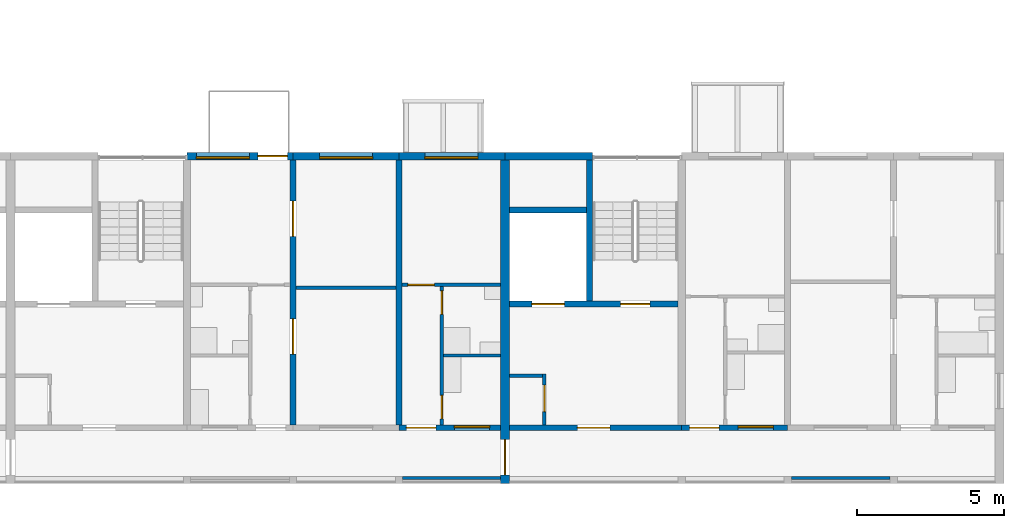
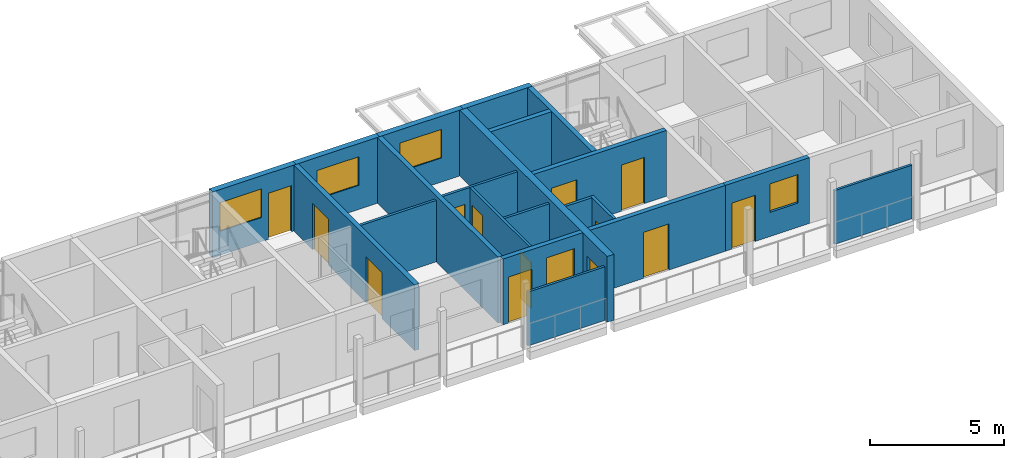
# One storey, part 54 of 94: 21 walls, 13 doors, 5 windows, 18 openings.
"""IFC4 building model written with IfcOpenShell, lengths in metres."""

from ifc_helpers import new_model, si_unit, direction, frame, frame_2d, origin, place, context, subcontext, project, spatial, rectangle, extrude, material, layer, layer_set, type_object, element, fill, save


model = new_model("IFC4")

# Units and contexts
model_context = context("Model", 3, precision=1e-05, world=origin(), true_north=direction((0.0, 1.0)))
body_context = subcontext(model_context, "Body", "Model", "MODEL_VIEW")
ifc_project = project(units=[si_unit("LENGTHUNIT", "METRE"), si_unit("AREAUNIT", "SQUARE_METRE"), si_unit("VOLUMEUNIT", "CUBIC_METRE"), si_unit("PLANEANGLEUNIT", "RADIAN"), si_unit("MASSUNIT", "GRAM", prefix="KILO")], contexts=[model_context])

# Site, building, storey
site_placement = place(None, origin())
site = spatial("IfcSite", under=ifc_project, at=site_placement, CompositionType="ELEMENT")
building_placement = place(site_placement, origin())
building = spatial("IfcBuilding", under=site, at=building_placement, Name="Ridgestep Commons", CompositionType="ELEMENT")
storey_placement = place(building_placement, frame((0.0, 0.0, 24.0)))
storey = spatial("IfcBuildingStorey", under=building, at=storey_placement, Name="L08", CompositionType="ELEMENT", Elevation=24.0)

# Wall, opening, door
ifc_material_1 = material(Name="Concrete C30/37", Category="concrete")
ifc_layer_1 = layer(ifc_material_1, 0.199951171875)
ifc_layer_set_1 = layer_set([ifc_layer_1], Name="Core south wall 200")
wall_type_1 = type_object("IfcWallType", Name="Core south wall 200", PredefinedType="SHEAR", material=ifc_layer_set_1)
wall_1_placement = place(storey_placement, frame((230.949951171875, 13.64990234375, 0.0), z_axis=(0.0, 0.0, 1.0), x_axis=(1.0, 0.0, 0.0)))
wall_1 = element("IfcWall", 1, at=wall_1_placement, inside=storey, type_object=wall_type_1, Name="Core south wall D6C L08", PredefinedType="SHEAR", context=body_context, shape_type="SweptSolid", body=[
    extrude(rectangle(XDim=5.85009765625, YDim=0.199951171875, at=frame_2d((2.925048828125, 0.0))), origin(), (0.0, 0.0, 1.0), 3.0),
])
opening_1_placement = place(wall_1_placement, frame((2.3125, 0.0, 0.0)))
opening_1 = element("IfcOpeningElement", 2, at=opening_1_placement, cuts=wall_1, Name="Opening D6C/08/1", PredefinedType="OPENING", context=body_context, shape_type="SweptSolid", body=[
    extrude(rectangle(XDim=1.10009765625, YDim=2.10009765625, at=frame_2d((0.550048828125, 1.050048828125))), frame((0.0, 0.10986328125, 0.0), z_axis=(0.0, -1.0, 0.0), x_axis=(1.0, 0.0, 0.0)), (0.0, 0.0, 1.0), 0.219970703125),
])
ifc_material_2 = material(Name="Steel fire door", Category="steel")
door_type_1 = type_object("IfcDoorType", Name="Lobby door 1100 x 2100 FD60", OperationType="NOTDEFINED", PredefinedType="DOOR", material=ifc_material_2)
door_1_placement = place(opening_1_placement, origin())
door_1 = element("IfcDoor", 3, at=door_1_placement, inside=storey, type_object=door_type_1, Name="Lobby door D6C/08/1", OperationType="SINGLE_SWING_LEFT", OverallHeight=2.10009765625, OverallWidth=1.10009765625, PredefinedType="DOOR", context=body_context, shape_type="SweptSolid", body=[
    extrude(rectangle(XDim=1.10009765625, YDim=2.10009765625, at=frame_2d((0.550048828125, 1.050048828125))), frame((0.0, 0.02490234375, 0.0), z_axis=(0.0, -1.0, 0.0), x_axis=(1.0, 0.0, 0.0)), (0.0, 0.0, 1.0), 0.050048828125),
])
fill(opening_1, door_1)

ifc_material_3 = material(Name="Concrete C30/37", Category="concrete")
ifc_layer_2 = layer(ifc_material_3, 0.1201171875)
ifc_layer_set_2 = layer_set([ifc_layer_2], Name="Core wall 120")
wall_type_2 = type_object("IfcWallType", Name="Core wall 120", PredefinedType="SHEAR", material=ifc_layer_set_2)
wall_2_placement = place(storey_placement, frame((232.139892578125, 13.75, 0.0), z_axis=(0.0, 0.0, 1.0), x_axis=(0.0, 1.0, 0.0)))
wall_2 = element("IfcWall", 4, at=wall_2_placement, inside=storey, type_object=wall_type_2, Name="Core riser w wall D6C L08", PredefinedType="SHEAR", context=body_context, shape_type="SweptSolid", body=[
    extrude(rectangle(XDim=1.719970703125, YDim=0.1201171875, at=frame_2d((0.85986328125, 0.0))), origin(), (0.0, 0.0, 1.0), 3.0),
])
opening_2_placement = place(wall_2_placement, frame((0.449951171875, 0.0, 0.0)))
opening_2 = element("IfcOpeningElement", 5, at=opening_2_placement, cuts=wall_2, Name="Opening D6C/08/4", PredefinedType="OPENING", context=body_context, shape_type="SweptSolid", body=[
    extrude(rectangle(XDim=0.89990234375, YDim=2.10009765625, at=frame_2d((0.449951171875, 1.050048828125))), frame((0.0, 0.070068359375, 0.0), z_axis=(0.0, -1.0, 0.0), x_axis=(1.0, 0.0, 0.0)), (0.0, 0.0, 1.0), 0.14013671875),
])
ifc_material_4 = material(Name="Steel fire door", Category="steel")
door_type_2 = type_object("IfcDoorType", Name="Riser door 900 x 2100 FD60", OperationType="NOTDEFINED", PredefinedType="DOOR", material=ifc_material_4)
door_2_placement = place(opening_2_placement, origin())
door_2 = element("IfcDoor", 6, at=door_2_placement, inside=storey, type_object=door_type_2, Name="Riser door D6C/08/4", OperationType="SINGLE_SWING_RIGHT", OverallHeight=2.10009765625, OverallWidth=0.89990234375, PredefinedType="DOOR", context=body_context, shape_type="SweptSolid", body=[
    extrude(rectangle(XDim=0.89990234375, YDim=2.10009765625, at=frame_2d((0.449951171875, 1.050048828125))), frame((0.0, 0.02490234375, 0.0), z_axis=(0.0, -1.0, 0.0), x_axis=(1.0, 0.0, 0.0)), (0.0, 0.0, 1.0), 0.050048828125),
])
fill(opening_2, door_2)

# Wall
wall_3_placement = place(storey_placement, frame((230.949951171875, 15.409912109375, 0.0), z_axis=(0.0, 0.0, 1.0), x_axis=(1.0, 0.0, 0.0)))
element("IfcWall", 7, at=wall_3_placement, inside=storey, type_object=wall_type_2, Name="Core riser n wall D6C L08", PredefinedType="SHEAR", context=body_context, shape_type="SweptSolid", body=[
    extrude(rectangle(XDim=1.130126953125, YDim=0.1201171875, at=frame_2d((0.56494140625, 0.0))), origin(), (0.0, 0.0, 1.0), 3.0),
])

# Wall, openings, doors
ifc_material_5 = material(Name="Concrete C30/37", Category="concrete")
ifc_layer_3 = layer(ifc_material_5, 0.199951171875)
ifc_layer_set_3 = layer_set([ifc_layer_3], Name="Core wall 200")
wall_type_3 = type_object("IfcWallType", Name="Core wall 200", PredefinedType="SHEAR", material=ifc_layer_set_3)
wall_4_placement = place(storey_placement, frame((230.949951171875, 17.85009765625, 0.0), z_axis=(0.0, 0.0, 1.0), x_axis=(1.0, 0.0, 0.0)))
wall_4 = element("IfcWall", 8, at=wall_4_placement, inside=storey, type_object=wall_type_3, Name="Core lobby wall D6C L08", PredefinedType="SHEAR", context=body_context, shape_type="SweptSolid", body=[
    extrude(rectangle(XDim=5.72509765625, YDim=0.199951171875, at=frame_2d((2.862548828125, 0.0))), origin(), (0.0, 0.0, 1.0), 3.0),
])
opening_3_placement = place(wall_4_placement, frame((3.77490234375, 0.0, 0.0)))
opening_3 = element("IfcOpeningElement", 9, at=opening_3_placement, cuts=wall_4, Name="Opening D6C/08/2", PredefinedType="OPENING", context=body_context, shape_type="SweptSolid", body=[
    extrude(rectangle(XDim=1.0, YDim=2.10009765625, at=frame_2d((0.5, 1.050048828125))), frame((0.0, 0.10986328125, 0.0), z_axis=(0.0, -1.0, 0.0), x_axis=(1.0, 0.0, 0.0)), (0.0, 0.0, 1.0), 0.219970703125),
])
opening_4_placement = place(wall_4_placement, frame((0.762451171875, 0.0, 0.0)))
opening_4 = element("IfcOpeningElement", 10, at=opening_4_placement, cuts=wall_4, Name="Opening D6C/08/3", PredefinedType="OPENING", context=body_context, shape_type="SweptSolid", body=[
    extrude(rectangle(XDim=1.10009765625, YDim=2.10009765625, at=frame_2d((0.550048828125, 1.050048828125))), frame((0.0, 0.10986328125, 0.0), z_axis=(0.0, -1.0, 0.0), x_axis=(1.0, 0.0, 0.0)), (0.0, 0.0, 1.0), 0.219970703125),
])
ifc_material_6 = material(Name="Stainless steel", Category="steel")
door_type_3 = type_object("IfcDoorType", Name="Lift landing door 1100 x 2100 FD60", OperationType="DOUBLE_DOOR_SLIDING", PredefinedType="DOOR", material=ifc_material_6)
door_3_placement = place(opening_4_placement, origin())
door_3 = element("IfcDoor", 11, at=door_3_placement, inside=storey, type_object=door_type_3, Name="Landing door LD D6C L08", OperationType="DOUBLE_DOOR_SLIDING", OverallHeight=2.10009765625, OverallWidth=1.10009765625, PredefinedType="DOOR", context=body_context, shape_type="SweptSolid", body=[
    extrude(rectangle(XDim=1.10009765625, YDim=2.10009765625, at=frame_2d((0.550048828125, 1.050048828125))), frame((0.0, 0.02490234375, 0.0), z_axis=(0.0, -1.0, 0.0), x_axis=(1.0, 0.0, 0.0)), (0.0, 0.0, 1.0), 0.050048828125),
])
fill(opening_4, door_3)
ifc_material_7 = material(Name="Steel fire door", Category="steel")
door_type_4 = type_object("IfcDoorType", Name="Stair door 1000 x 2100 FD60", OperationType="NOTDEFINED", PredefinedType="DOOR", material=ifc_material_7)
door_4_placement = place(opening_3_placement, origin())
door_4 = element("IfcDoor", 12, at=door_4_placement, inside=storey, type_object=door_type_4, Name="Stair door D6C/08/2", OperationType="SINGLE_SWING_RIGHT", OverallHeight=2.10009765625, OverallWidth=1.0, PredefinedType="DOOR", context=body_context, shape_type="SweptSolid", body=[
    extrude(rectangle(XDim=1.0, YDim=2.10009765625, at=frame_2d((0.5, 1.050048828125))), frame((0.0, 0.02490234375, 0.0), z_axis=(0.0, -1.0, 0.0), x_axis=(1.0, 0.0, 0.0)), (0.0, 0.0, 1.0), 0.050048828125),
])
fill(opening_3, door_4)

# Walls
wall_5_placement = place(storey_placement, frame((233.675048828125, 17.949951171875, 0.0), z_axis=(0.0, 0.0, 1.0), x_axis=(0.0, 1.0, 0.0)))
element("IfcWall", 13, at=wall_5_placement, inside=storey, type_object=wall_type_3, Name="Core stair wall D6C L08", PredefinedType="SHEAR", context=body_context, shape_type="SweptSolid", body=[
    extrude(rectangle(XDim=4.800048828125, YDim=0.199951171875, at=frame_2d((2.39990234375, 0.0))), origin(), (0.0, 0.0, 1.0), 3.0),
])
wall_6_placement = place(storey_placement, frame((230.949951171875, 21.050048828125, 0.0), z_axis=(0.0, 0.0, 1.0), x_axis=(1.0, 0.0, 0.0)))
element("IfcWall", 14, at=wall_6_placement, inside=storey, type_object=wall_type_3, Name="Core duct wall D6C L08", PredefinedType="SHEAR", context=body_context, shape_type="SweptSolid", body=[
    extrude(rectangle(XDim=2.625, YDim=0.199951171875, at=frame_2d((1.3125, 0.0))), origin(), (0.0, 0.0, 1.0), 3.0),
])

# Wall, openings, doors
ifc_material_8 = material(Name="Precast concrete C40/50", Category="concrete")
ifc_layer_4 = layer(ifc_material_8, 0.199951171875)
ifc_layer_set_4 = layer_set([ifc_layer_4], Name="Cross wall 200")
wall_type_4 = type_object("IfcWallType", Name="Cross wall 200", PredefinedType="SHEAR", material=ifc_layer_set_4)
wall_7_placement = place(storey_placement, frame((223.60009765625, 13.75, 0.0), z_axis=(0.0, 0.0, 1.0), x_axis=(0.0, 1.0, 0.0)))
wall_7 = element("IfcWall", 15, at=wall_7_placement, inside=storey, type_object=wall_type_4, Name="Cross wall D-08-2236", PredefinedType="SHEAR", context=body_context, shape_type="SweptSolid", body=[
    extrude(rectangle(XDim=9.0, YDim=0.199951171875, at=frame_2d((4.5, 0.0))), origin(), (0.0, 0.0, 1.0), 3.0),
])
opening_5_placement = place(wall_7_placement, frame((2.39990234375, 0.0, 0.0)))
opening_5 = element("IfcOpeningElement", 16, at=opening_5_placement, cuts=wall_7, Name="Opening D5-08b/5", PredefinedType="OPENING", context=body_context, shape_type="SweptSolid", body=[
    extrude(rectangle(XDim=1.199951171875, YDim=2.10009765625, at=frame_2d((0.60009765625, 1.050048828125))), frame((0.0, 0.10986328125, 0.0), z_axis=(0.0, -1.0, 0.0), x_axis=(1.0, 0.0, 0.0)), (0.0, 0.0, 1.0), 0.219970703125),
])
opening_6_placement = place(wall_7_placement, frame((6.39990234375, 0.0, 0.0)))
opening_6 = element("IfcOpeningElement", 17, at=opening_6_placement, cuts=wall_7, Name="Opening D5-08b/6", PredefinedType="OPENING", context=body_context, shape_type="SweptSolid", body=[
    extrude(rectangle(XDim=1.199951171875, YDim=2.10009765625, at=frame_2d((0.60009765625, 1.050048828125))), frame((0.0, 0.10986328125, 0.0), z_axis=(0.0, -1.0, 0.0), x_axis=(1.0, 0.0, 0.0)), (0.0, 0.0, 1.0), 0.219970703125),
])
ifc_material_9 = material(Name="Timber door leaf", Category="wood")
door_type_5 = type_object("IfcDoorType", Name="Double door 1200 x 2100", OperationType="DOUBLE_DOOR_SINGLE_SWING", PredefinedType="DOOR", material=ifc_material_9)
door_5_placement = place(opening_5_placement, origin())
door_5 = element("IfcDoor", 18, at=door_5_placement, inside=storey, type_object=door_type_5, Name="Double door D5-08b/5", OperationType="DOUBLE_DOOR_SINGLE_SWING", OverallHeight=2.10009765625, OverallWidth=1.199951171875, PredefinedType="DOOR", context=body_context, shape_type="SweptSolid", body=[
    extrude(rectangle(XDim=1.199951171875, YDim=2.10009765625, at=frame_2d((0.60009765625, 1.050048828125))), frame((0.0, 0.02490234375, 0.0), z_axis=(0.0, -1.0, 0.0), x_axis=(1.0, 0.0, 0.0)), (0.0, 0.0, 1.0), 0.050048828125),
])
fill(opening_5, door_5)
door_6_placement = place(opening_6_placement, origin())
door_6 = element("IfcDoor", 19, at=door_6_placement, inside=storey, type_object=door_type_5, Name="Double door D5-08b/6", OperationType="DOUBLE_DOOR_SINGLE_SWING", OverallHeight=2.10009765625, OverallWidth=1.199951171875, PredefinedType="DOOR", context=body_context, shape_type="SweptSolid", body=[
    extrude(rectangle(XDim=1.199951171875, YDim=2.10009765625, at=frame_2d((0.60009765625, 1.050048828125))), frame((0.0, 0.02490234375, 0.0), z_axis=(0.0, -1.0, 0.0), x_axis=(1.0, 0.0, 0.0)), (0.0, 0.0, 1.0), 0.050048828125),
])
fill(opening_6, door_6)

# Wall
wall_8_placement = place(storey_placement, frame((227.199951171875, 13.75, 0.0), z_axis=(0.0, 0.0, 1.0), x_axis=(0.0, 1.0, 0.0)))
element("IfcWall", 20, at=wall_8_placement, inside=storey, type_object=wall_type_4, Name="Cross wall D-08-2272", PredefinedType="SHEAR", context=body_context, shape_type="SweptSolid", body=[
    extrude(rectangle(XDim=9.0, YDim=0.199951171875, at=frame_2d((4.5, 0.0))), origin(), (0.0, 0.0, 1.0), 3.0),
])

# Wall, opening, door
ifc_material_10 = material(Name="Precast concrete C40/50", Category="concrete")
ifc_layer_5 = layer(ifc_material_10, 0.300048828125)
ifc_layer_set_5 = layer_set([ifc_layer_5], Name="Division wall 300")
wall_type_5 = type_object("IfcWallType", Name="Division wall 300", PredefinedType="SHEAR", material=ifc_layer_set_5)
wall_9_placement = place(storey_placement, frame((230.800048828125, 11.75, 0.0), z_axis=(0.0, 0.0, 1.0), x_axis=(0.0, 1.0, 0.0)))
wall_9 = element("IfcWall", 21, at=wall_9_placement, inside=storey, type_object=wall_type_5, Name="Cross wall D-08-2308", PredefinedType="SHEAR", context=body_context, shape_type="SweptSolid", body=[
    extrude(rectangle(XDim=11.0, YDim=0.300048828125, at=frame_2d((5.5, 0.0))), origin(), (0.0, 0.0, 1.0), 3.0),
])
opening_7_placement = place(wall_9_placement, frame((0.300048828125, 0.0, 0.0)))
opening_7 = element("IfcOpeningElement", 22, at=opening_7_placement, cuts=wall_9, Name="Opening D/08/G2308", PredefinedType="OPENING", context=body_context, shape_type="SweptSolid", body=[
    extrude(rectangle(XDim=1.199951171875, YDim=2.10009765625, at=frame_2d((0.60009765625, 1.050048828125))), frame((0.0, 0.159912109375, 0.0), z_axis=(0.0, -1.0, 0.0), x_axis=(1.0, 0.0, 0.0)), (0.0, 0.0, 1.0), 0.320068359375),
])
ifc_material_11 = material(Name="Steel fire door", Category="steel")
door_type_6 = type_object("IfcDoorType", Name="Division fire door 1200 x 2100 EI 240", OperationType="DOUBLE_DOOR_SINGLE_SWING", PredefinedType="DOOR", material=ifc_material_11)
door_7_placement = place(opening_7_placement, origin())
door_7 = element("IfcDoor", 23, at=door_7_placement, inside=storey, type_object=door_type_6, Name="Division fire door D/08/G2308", OperationType="DOUBLE_DOOR_SINGLE_SWING", OverallHeight=2.10009765625, OverallWidth=1.199951171875, PredefinedType="DOOR", context=body_context, shape_type="SweptSolid", body=[
    extrude(rectangle(XDim=1.199951171875, YDim=2.10009765625, at=frame_2d((0.60009765625, 1.050048828125))), frame((0.0, 0.02490234375, 0.0), z_axis=(0.0, -1.0, 0.0), x_axis=(1.0, 0.0, 0.0)), (0.0, 0.0, 1.0), 0.050048828125),
])
fill(opening_7, door_7)

# Wall, openings, door, window
ifc_material_12 = material(Name="Precast concrete C40/50", Category="concrete")
ifc_layer_6 = layer(ifc_material_12, 0.25)
ifc_layer_set_6 = layer_set([ifc_layer_6], Name="North facade panel 250")
wall_type_6 = type_object("IfcWallType", Name="North facade panel 250", PredefinedType="SOLIDWALL", material=ifc_layer_set_6)
wall_10_placement = place(storey_placement, frame((220.0, 22.875, 0.0), z_axis=(0.0, 0.0, 1.0), x_axis=(1.0, 0.0, 0.0)))
wall_10 = element("IfcWall", 24, at=wall_10_placement, inside=storey, type_object=wall_type_6, Name="North panel D5T3 L08", PredefinedType="SOLIDWALL", context=body_context, shape_type="SweptSolid", body=[
    extrude(rectangle(XDim=3.60009765625, YDim=0.25, at=frame_2d((1.800048828125, 0.0))), origin(), (0.0, 0.0, 1.0), 3.0),
])
opening_8_placement = place(wall_10_placement, frame((0.31591796875, 0.0, 1.10009765625)))
opening_8 = element("IfcOpeningElement", 25, at=opening_8_placement, cuts=wall_10, Name="Opening W18", PredefinedType="OPENING", context=body_context, shape_type="SweptSolid", body=[
    extrude(rectangle(XDim=1.800048828125, YDim=1.300048828125, at=frame_2d((0.89990234375, 0.64990234375))), frame((0.0, 0.135009765625, 0.0), z_axis=(0.0, -1.0, 0.0), x_axis=(1.0, 0.0, 0.0)), (0.0, 0.0, 1.0), 0.27001953125),
])
opening_9_placement = place(wall_10_placement, frame((2.406982421875, 0.0, 0.0)))
opening_9 = element("IfcOpeningElement", 26, at=opening_9_placement, cuts=wall_10, Name="Opening D5-08b/7", PredefinedType="OPENING", context=body_context, shape_type="SweptSolid", body=[
    extrude(rectangle(XDim=1.0, YDim=2.10009765625, at=frame_2d((0.5, 1.050048828125))), frame((0.0, 0.135009765625, 0.0), z_axis=(0.0, -1.0, 0.0), x_axis=(1.0, 0.0, 0.0)), (0.0, 0.0, 1.0), 0.27001953125),
])
ifc_material_13 = material(Name="Aluminium and glass", Category="aluminium")
door_type_7 = type_object("IfcDoorType", Name="Balcony door 1000 x 2100", OperationType="NOTDEFINED", PredefinedType="DOOR", material=ifc_material_13)
door_8_placement = place(opening_9_placement, origin())
door_8 = element("IfcDoor", 27, at=door_8_placement, inside=storey, type_object=door_type_7, Name="Balcony door D5-08b/7", OperationType="SINGLE_SWING_LEFT", OverallHeight=2.10009765625, OverallWidth=1.0, PredefinedType="DOOR", context=body_context, shape_type="SweptSolid", body=[
    extrude(rectangle(XDim=1.0, YDim=2.10009765625, at=frame_2d((0.5, 1.050048828125))), frame((0.0, 0.02490234375, 0.0), z_axis=(0.0, -1.0, 0.0), x_axis=(1.0, 0.0, 0.0)), (0.0, 0.0, 1.0), 0.050048828125),
])
fill(opening_9, door_8)
ifc_material_14 = material(Name="Aluminium 6063-T6 and glass", Category="aluminium")
window_type_1 = type_object("IfcWindowType", Name="Flat window 1800 x 1300", PartitioningType="DOUBLE_PANEL_VERTICAL", PredefinedType="WINDOW", material=ifc_material_14)
window_1_placement = place(opening_8_placement, origin())
window_1 = element("IfcWindow", 28, at=window_1_placement, inside=storey, type_object=window_type_1, Name="Window D5-08b 4", OverallHeight=1.300048828125, OverallWidth=1.800048828125, PartitioningType="SINGLE_PANEL", PredefinedType="WINDOW", context=body_context, shape_type="SweptSolid", body=[
    extrude(rectangle(XDim=1.800048828125, YDim=1.300048828125, at=frame_2d((0.89990234375, 0.64990234375))), frame((0.0, -0.02490234375, 0.0), z_axis=(0.0, -1.0, 0.0), x_axis=(1.0, 0.0, 0.0)), (0.0, 0.0, 1.0), 0.06005859375),
])
fill(opening_8, window_1)

# Wall, opening, window
wall_11_placement = place(storey_placement, frame((223.60009765625, 22.875, 0.0), z_axis=(0.0, 0.0, 1.0), x_axis=(1.0, 0.0, 0.0)))
wall_11 = element("IfcWall", 29, at=wall_11_placement, inside=storey, type_object=wall_type_6, Name="North panel D5T2 L08", PredefinedType="SOLIDWALL", context=body_context, shape_type="SweptSolid", body=[
    extrude(rectangle(XDim=3.599853515625, YDim=0.25, at=frame_2d((1.7998046875, 0.0))), origin(), (0.0, 0.0, 1.0), 3.0),
])
opening_10_placement = place(wall_11_placement, frame((0.89990234375, 0.0, 1.10009765625)))
opening_10 = element("IfcOpeningElement", 30, at=opening_10_placement, cuts=wall_11, Name="Opening W18", PredefinedType="OPENING", context=body_context, shape_type="SweptSolid", body=[
    extrude(rectangle(XDim=1.800048828125, YDim=1.300048828125, at=frame_2d((0.89990234375, 0.64990234375))), frame((0.0, 0.135009765625, 0.0), z_axis=(0.0, -1.0, 0.0), x_axis=(1.0, 0.0, 0.0)), (0.0, 0.0, 1.0), 0.27001953125),
])
window_2_placement = place(opening_10_placement, origin())
window_2 = element("IfcWindow", 31, at=window_2_placement, inside=storey, type_object=window_type_1, Name="Window D5-08b 2", OverallHeight=1.300048828125, OverallWidth=1.800048828125, PartitioningType="SINGLE_PANEL", PredefinedType="WINDOW", context=body_context, shape_type="SweptSolid", body=[
    extrude(rectangle(XDim=1.800048828125, YDim=1.300048828125, at=frame_2d((0.89990234375, 0.64990234375))), frame((0.0, -0.02490234375, 0.0), z_axis=(0.0, -1.0, 0.0), x_axis=(1.0, 0.0, 0.0)), (0.0, 0.0, 1.0), 0.06005859375),
])
fill(opening_10, window_2)

wall_12_placement = place(storey_placement, frame((227.199951171875, 22.875, 0.0), z_axis=(0.0, 0.0, 1.0), x_axis=(1.0, 0.0, 0.0)))
wall_12 = element("IfcWall", 32, at=wall_12_placement, inside=storey, type_object=wall_type_6, Name="North panel D5T1 L08", PredefinedType="SOLIDWALL", context=body_context, shape_type="SweptSolid", body=[
    extrude(rectangle(XDim=3.60009765625, YDim=0.25, at=frame_2d((1.800048828125, 0.0))), origin(), (0.0, 0.0, 1.0), 3.0),
])
opening_11_placement = place(wall_12_placement, frame((0.875, 0.0, 1.10009765625)))
opening_11 = element("IfcOpeningElement", 33, at=opening_11_placement, cuts=wall_12, Name="Opening W18", PredefinedType="OPENING", context=body_context, shape_type="SweptSolid", body=[
    extrude(rectangle(XDim=1.800048828125, YDim=1.300048828125, at=frame_2d((0.89990234375, 0.64990234375))), frame((0.0, 0.135009765625, 0.0), z_axis=(0.0, -1.0, 0.0), x_axis=(1.0, 0.0, 0.0)), (0.0, 0.0, 1.0), 0.27001953125),
])
window_3_placement = place(opening_11_placement, origin())
window_3 = element("IfcWindow", 34, at=window_3_placement, inside=storey, type_object=window_type_1, Name="Window D5-08a 2", OverallHeight=1.300048828125, OverallWidth=1.800048828125, PartitioningType="SINGLE_PANEL", PredefinedType="WINDOW", context=body_context, shape_type="SweptSolid", body=[
    extrude(rectangle(XDim=1.800048828125, YDim=1.300048828125, at=frame_2d((0.89990234375, 0.64990234375))), frame((0.0, -0.02490234375, 0.0), z_axis=(0.0, -1.0, 0.0), x_axis=(1.0, 0.0, 0.0)), (0.0, 0.0, 1.0), 0.06005859375),
])
fill(opening_11, window_3)

# Wall
wall_13_placement = place(storey_placement, frame((230.800048828125, 22.875, 0.0), z_axis=(0.0, 0.0, 1.0), x_axis=(1.0, 0.0, 0.0)))
element("IfcWall", 35, at=wall_13_placement, inside=storey, type_object=wall_type_6, Name="North panel D6C L08", PredefinedType="SOLIDWALL", context=body_context, shape_type="SweptSolid", body=[
    extrude(rectangle(XDim=2.974853515625, YDim=0.25, at=frame_2d((1.4873046875, 0.0))), origin(), (0.0, 0.0, 1.0), 3.0),
])

# Wall, openings, doors
ifc_material_15 = material(Name="Common brick 110 mm", Category="masonry")
ifc_layer_7 = layer(ifc_material_15, 0.110107421875)
ifc_layer_set_7 = layer_set([ifc_layer_7], Name="Partition 110")
wall_type_7 = type_object("IfcWallType", Name="Partition 110", PredefinedType="PARTITIONING", material=ifc_layer_set_7)
wall_14_placement = place(storey_placement, frame((228.655029296875, 13.75, 0.0), z_axis=(0.0, 0.0, 1.0), x_axis=(0.0, 1.0, 0.0)))
wall_14 = element("IfcWall", 36, at=wall_14_placement, inside=storey, type_object=wall_type_7, Name="Partition D5-08a", PredefinedType="PARTITIONING", context=body_context, shape_type="SweptSolid", body=[
    extrude(rectangle(XDim=4.699951171875, YDim=0.110107421875, at=frame_2d((2.35009765625, 0.0))), origin(), (0.0, 0.0, 1.0), 2.800048828125),
])
opening_12_placement = place(wall_14_placement, frame((0.199951171875, 0.0, 0.0)))
opening_12 = element("IfcOpeningElement", 37, at=opening_12_placement, cuts=wall_14, Name="Opening D5-08a/2", PredefinedType="OPENING", context=body_context, shape_type="SweptSolid", body=[
    extrude(rectangle(XDim=0.800048828125, YDim=2.10009765625, at=frame_2d((0.39990234375, 1.050048828125))), frame((0.0, 0.06494140625, 0.0), z_axis=(0.0, -1.0, 0.0), x_axis=(1.0, 0.0, 0.0)), (0.0, 0.0, 1.0), 0.130126953125),
])
opening_13_placement = place(wall_14_placement, frame((3.75, 0.0, 0.0)))
opening_13 = element("IfcOpeningElement", 38, at=opening_13_placement, cuts=wall_14, Name="Opening D5-08a/3", PredefinedType="OPENING", context=body_context, shape_type="SweptSolid", body=[
    extrude(rectangle(XDim=0.800048828125, YDim=2.10009765625, at=frame_2d((0.39990234375, 1.050048828125))), frame((0.0, 0.06494140625, 0.0), z_axis=(0.0, -1.0, 0.0), x_axis=(1.0, 0.0, 0.0)), (0.0, 0.0, 1.0), 0.130126953125),
])
ifc_material_16 = material(Name="Timber door leaf", Category="wood")
door_type_8 = type_object("IfcDoorType", Name="Internal door 800 x 2100", OperationType="NOTDEFINED", PredefinedType="DOOR", material=ifc_material_16)
door_9_placement = place(opening_12_placement, origin())
door_9 = element("IfcDoor", 39, at=door_9_placement, inside=storey, type_object=door_type_8, Name="Internal door D5-08a/2", OperationType="SINGLE_SWING_RIGHT", OverallHeight=2.10009765625, OverallWidth=0.800048828125, PredefinedType="DOOR", context=body_context, shape_type="SweptSolid", body=[
    extrude(rectangle(XDim=0.800048828125, YDim=2.10009765625, at=frame_2d((0.39990234375, 1.050048828125))), frame((0.0, 0.02490234375, 0.0), z_axis=(0.0, -1.0, 0.0), x_axis=(1.0, 0.0, 0.0)), (0.0, 0.0, 1.0), 0.050048828125),
])
fill(opening_12, door_9)
door_10_placement = place(opening_13_placement, origin())
door_10 = element("IfcDoor", 40, at=door_10_placement, inside=storey, type_object=door_type_8, Name="Internal door D5-08a/3", OperationType="SINGLE_SWING_LEFT", OverallHeight=2.10009765625, OverallWidth=0.800048828125, PredefinedType="DOOR", context=body_context, shape_type="SweptSolid", body=[
    extrude(rectangle(XDim=0.800048828125, YDim=2.10009765625, at=frame_2d((0.39990234375, 1.050048828125))), frame((0.0, 0.02490234375, 0.0), z_axis=(0.0, -1.0, 0.0), x_axis=(1.0, 0.0, 0.0)), (0.0, 0.0, 1.0), 0.050048828125),
])
fill(opening_13, door_10)

# Wall
wall_15_placement = place(storey_placement, frame((228.7099609375, 16.10498046875, 0.0), z_axis=(0.0, 0.0, 1.0), x_axis=(1.0, 0.0, 0.0)))
element("IfcWall", 41, at=wall_15_placement, inside=storey, type_object=wall_type_7, Name="Partition D5-08a", PredefinedType="PARTITIONING", context=body_context, shape_type="SweptSolid", body=[
    extrude(rectangle(XDim=1.93994140625, YDim=0.110107421875, at=frame_2d((0.969970703125, 0.0))), origin(), (0.0, 0.0, 1.0), 2.800048828125),
])

# Wall, opening, door
wall_16_placement = place(storey_placement, frame((227.300048828125, 18.5048828125, 0.0), z_axis=(0.0, 0.0, 1.0), x_axis=(1.0, 0.0, 0.0)))
wall_16 = element("IfcWall", 42, at=wall_16_placement, inside=storey, type_object=wall_type_7, Name="Partition D5-08a", PredefinedType="PARTITIONING", context=body_context, shape_type="SweptSolid", body=[
    extrude(rectangle(XDim=3.349853515625, YDim=0.110107421875, at=frame_2d((1.6748046875, 0.0))), origin(), (0.0, 0.0, 1.0), 2.800048828125),
])
opening_14_placement = place(wall_16_placement, frame((0.199951171875, 0.0, 0.0)))
opening_14 = element("IfcOpeningElement", 43, at=opening_14_placement, cuts=wall_16, Name="Opening D5-08a/4", PredefinedType="OPENING", context=body_context, shape_type="SweptSolid", body=[
    extrude(rectangle(XDim=0.89990234375, YDim=2.10009765625, at=frame_2d((0.449951171875, 1.050048828125))), frame((0.0, 0.06494140625, 0.0), z_axis=(0.0, -1.0, 0.0), x_axis=(1.0, 0.0, 0.0)), (0.0, 0.0, 1.0), 0.130126953125),
])
ifc_material_17 = material(Name="Timber door leaf", Category="wood")
door_type_9 = type_object("IfcDoorType", Name="Internal door 900 x 2100", OperationType="NOTDEFINED", PredefinedType="DOOR", material=ifc_material_17)
door_11_placement = place(opening_14_placement, origin())
door_11 = element("IfcDoor", 44, at=door_11_placement, inside=storey, type_object=door_type_9, Name="Internal door D5-08a/4", OperationType="SINGLE_SWING_LEFT", OverallHeight=2.10009765625, OverallWidth=0.89990234375, PredefinedType="DOOR", context=body_context, shape_type="SweptSolid", body=[
    extrude(rectangle(XDim=0.89990234375, YDim=2.10009765625, at=frame_2d((0.449951171875, 1.050048828125))), frame((0.0, 0.02490234375, 0.0), z_axis=(0.0, -1.0, 0.0), x_axis=(1.0, 0.0, 0.0)), (0.0, 0.0, 1.0), 0.050048828125),
])
fill(opening_14, door_11)

# Walls
wall_17_placement = place(storey_placement, frame((223.699951171875, 18.405029296875, 0.0), z_axis=(0.0, 0.0, 1.0), x_axis=(1.0, 0.0, 0.0)))
element("IfcWall", 45, at=wall_17_placement, inside=storey, type_object=wall_type_7, Name="Partition D5-08b", PredefinedType="PARTITIONING", context=body_context, shape_type="SweptSolid", body=[
    extrude(rectangle(XDim=3.400146484375, YDim=0.110107421875, at=frame_2d((1.7001953125, 0.0))), origin(), (0.0, 0.0, 1.0), 2.800048828125),
])
ifc_material_18 = material(Name="Precast concrete C30/37", Category="concrete")
ifc_layer_8 = layer(ifc_material_18, 0.10009765625)
ifc_layer_set_8 = layer_set([ifc_layer_8], Name="Perforated gallery screen 3325 x 2450 x 100")
wall_type_8 = type_object("IfcWallType", Name="Perforated gallery screen 3325 x 2450 x 100", PredefinedType="SOLIDWALL", material=ifc_layer_set_8)
wall_18_placement = place(storey_placement, frame((227.324951171875, 11.949951171875, 0.0), z_axis=(0.0, 0.0, 1.0), x_axis=(1.0, 0.0, 0.0)))
element("IfcWall", 46, at=wall_18_placement, inside=storey, type_object=wall_type_8, Name="Gallery screen D5T1 08", PredefinedType="SOLIDWALL", context=body_context, shape_type="SweptSolid", body=[
    extrude(rectangle(XDim=3.324951171875, YDim=0.10009765625, at=frame_2d((1.66259765625, 0.0))), origin(), (0.0, 0.0, 1.0), 2.449951171875),
])
ifc_material_19 = material(Name="Precast concrete C30/37", Category="concrete")
ifc_layer_9 = layer(ifc_material_19, 0.10009765625)
ifc_layer_set_9 = layer_set([ifc_layer_9], Name="Perforated gallery screen 3350 x 2450 x 100")
wall_type_9 = type_object("IfcWallType", Name="Perforated gallery screen 3350 x 2450 x 100", PredefinedType="SOLIDWALL", material=ifc_layer_set_9)
wall_19_placement = place(storey_placement, frame((240.52490234375, 11.949951171875, 0.0), z_axis=(0.0, 0.0, 1.0), x_axis=(1.0, 0.0, 0.0)))
element("IfcWall", 47, at=wall_19_placement, inside=storey, type_object=wall_type_9, Name="Gallery screen D6T2 08", PredefinedType="SOLIDWALL", context=body_context, shape_type="SweptSolid", body=[
    extrude(rectangle(XDim=3.35009765625, YDim=0.10009765625, at=frame_2d((1.675048828125, 0.0))), origin(), (0.0, 0.0, 1.0), 2.449951171875),
])

# Wall, openings, door, window
ifc_material_20 = material(Name="Precast concrete C40/50", Category="concrete")
ifc_layer_10 = layer(ifc_material_20, 0.199951171875)
ifc_layer_set_10 = layer_set([ifc_layer_10], Name="South facade panel 200")
wall_type_10 = type_object("IfcWallType", Name="South facade panel 200", PredefinedType="SOLIDWALL", material=ifc_layer_set_10)
wall_20_placement = place(storey_placement, frame((227.199951171875, 13.64990234375, 0.0), z_axis=(0.0, 0.0, 1.0), x_axis=(1.0, 0.0, 0.0)))
wall_20 = element("IfcWall", 48, at=wall_20_placement, inside=storey, type_object=wall_type_10, Name="South panel D5T1 L08", PredefinedType="SOLIDWALL", context=body_context, shape_type="SweptSolid", body=[
    extrude(rectangle(XDim=3.449951171875, YDim=0.199951171875, at=frame_2d((1.72509765625, 0.0))), origin(), (0.0, 0.0, 1.0), 3.0),
])
opening_15_placement = place(wall_20_placement, frame((1.8798828125, 0.0, 1.10009765625)))
opening_15 = element("IfcOpeningElement", 49, at=opening_15_placement, cuts=wall_20, Name="Opening W08", PredefinedType="OPENING", context=body_context, shape_type="SweptSolid", body=[
    extrude(rectangle(XDim=1.199951171875, YDim=1.300048828125, at=frame_2d((0.60009765625, 0.64990234375))), frame((0.0, 0.10986328125, 0.0), z_axis=(0.0, -1.0, 0.0), x_axis=(1.0, 0.0, 0.0)), (0.0, 0.0, 1.0), 0.219970703125),
])
opening_16_placement = place(wall_20_placement, frame((0.25, 0.0, 0.0)))
opening_16 = element("IfcOpeningElement", 50, at=opening_16_placement, cuts=wall_20, Name="Opening D5-08a/1", PredefinedType="OPENING", context=body_context, shape_type="SweptSolid", body=[
    extrude(rectangle(XDim=1.0, YDim=2.10009765625, at=frame_2d((0.5, 1.050048828125))), frame((0.0, 0.10986328125, 0.0), z_axis=(0.0, -1.0, 0.0), x_axis=(1.0, 0.0, 0.0)), (0.0, 0.0, 1.0), 0.219970703125),
])
ifc_material_21 = material(Name="Timber door leaf", Category="wood")
door_type_10 = type_object("IfcDoorType", Name="Flat entrance door 1000 x 2100 FD30S", OperationType="NOTDEFINED", PredefinedType="DOOR", material=ifc_material_21)
door_12_placement = place(opening_16_placement, origin())
door_12 = element("IfcDoor", 51, at=door_12_placement, inside=storey, type_object=door_type_10, Name="Flat entrance door D5-08a/1", OperationType="SINGLE_SWING_LEFT", OverallHeight=2.10009765625, OverallWidth=1.0, PredefinedType="DOOR", context=body_context, shape_type="SweptSolid", body=[
    extrude(rectangle(XDim=1.0, YDim=2.10009765625, at=frame_2d((0.5, 1.050048828125))), frame((0.0, 0.02490234375, 0.0), z_axis=(0.0, -1.0, 0.0), x_axis=(1.0, 0.0, 0.0)), (0.0, 0.0, 1.0), 0.050048828125),
])
fill(opening_16, door_12)
ifc_material_22 = material(Name="Aluminium 6063-T6 and glass", Category="aluminium")
window_type_2 = type_object("IfcWindowType", Name="Flat window 1200 x 1300", PartitioningType="SINGLE_PANEL", PredefinedType="WINDOW", material=ifc_material_22)
window_4_placement = place(opening_15_placement, origin())
window_4 = element("IfcWindow", 52, at=window_4_placement, inside=storey, type_object=window_type_2, Name="Window D5-08a 1", OverallHeight=1.300048828125, OverallWidth=1.199951171875, PartitioningType="SINGLE_PANEL", PredefinedType="WINDOW", context=body_context, shape_type="SweptSolid", body=[
    extrude(rectangle(XDim=1.199951171875, YDim=1.300048828125, at=frame_2d((0.60009765625, 0.64990234375))), frame((0.0, 0.06005859375, 0.0), z_axis=(0.0, -1.0, 0.0), x_axis=(1.0, 0.0, 0.0)), (0.0, 0.0, 1.0), 0.06005859375),
])
fill(opening_15, window_4)

wall_21_placement = place(storey_placement, frame((236.800048828125, 13.64990234375, 0.0), z_axis=(0.0, 0.0, 1.0), x_axis=(1.0, 0.0, 0.0)))
wall_21 = element("IfcWall", 53, at=wall_21_placement, inside=storey, type_object=wall_type_10, Name="South panel D6T3 L08", PredefinedType="SOLIDWALL", context=body_context, shape_type="SweptSolid", body=[
    extrude(rectangle(XDim=3.599853515625, YDim=0.199951171875, at=frame_2d((1.7998046875, 0.0))), origin(), (0.0, 0.0, 1.0), 3.0),
])
opening_17_placement = place(wall_21_placement, frame((1.91748046875, 0.0, 1.10009765625)))
opening_17 = element("IfcOpeningElement", 54, at=opening_17_placement, cuts=wall_21, Name="Opening W08", PredefinedType="OPENING", context=body_context, shape_type="SweptSolid", body=[
    extrude(rectangle(XDim=1.199951171875, YDim=1.300048828125, at=frame_2d((0.60009765625, 0.64990234375))), frame((0.0, 0.10986328125, 0.0), z_axis=(0.0, -1.0, 0.0), x_axis=(1.0, 0.0, 0.0)), (0.0, 0.0, 1.0), 0.219970703125),
])
opening_18_placement = place(wall_21_placement, frame((0.27490234375, 0.0, 0.0)))
opening_18 = element("IfcOpeningElement", 55, at=opening_18_placement, cuts=wall_21, Name="Opening D6-08b/1", PredefinedType="OPENING", context=body_context, shape_type="SweptSolid", body=[
    extrude(rectangle(XDim=1.0, YDim=2.10009765625, at=frame_2d((0.5, 1.050048828125))), frame((0.0, 0.10986328125, 0.0), z_axis=(0.0, -1.0, 0.0), x_axis=(1.0, 0.0, 0.0)), (0.0, 0.0, 1.0), 0.219970703125),
])
door_13_placement = place(opening_18_placement, origin())
door_13 = element("IfcDoor", 56, at=door_13_placement, inside=storey, type_object=door_type_10, Name="Flat entrance door D6-08b/1", OperationType="SINGLE_SWING_LEFT", OverallHeight=2.10009765625, OverallWidth=1.0, PredefinedType="DOOR", context=body_context, shape_type="SweptSolid", body=[
    extrude(rectangle(XDim=1.0, YDim=2.10009765625, at=frame_2d((0.5, 1.050048828125))), frame((0.0, 0.02490234375, 0.0), z_axis=(0.0, -1.0, 0.0), x_axis=(1.0, 0.0, 0.0)), (0.0, 0.0, 1.0), 0.050048828125),
])
fill(opening_18, door_13)
window_5_placement = place(opening_17_placement, origin())
window_5 = element("IfcWindow", 57, at=window_5_placement, inside=storey, type_object=window_type_2, Name="Window D6-08b 1", OverallHeight=1.300048828125, OverallWidth=1.199951171875, PartitioningType="SINGLE_PANEL", PredefinedType="WINDOW", context=body_context, shape_type="SweptSolid", body=[
    extrude(rectangle(XDim=1.199951171875, YDim=1.300048828125, at=frame_2d((0.60009765625, 0.64990234375))), frame((0.0, 0.06005859375, 0.0), z_axis=(0.0, -1.0, 0.0), x_axis=(1.0, 0.0, 0.0)), (0.0, 0.0, 1.0), 0.06005859375),
])
fill(opening_17, window_5)

save(model, "model.ifc")
